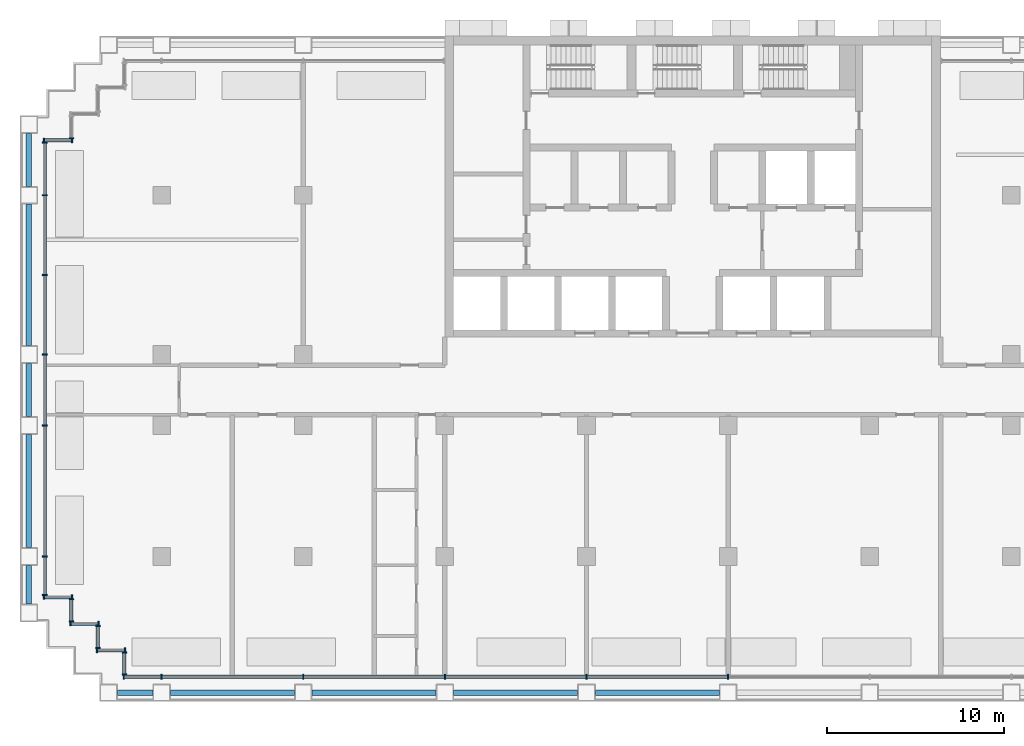
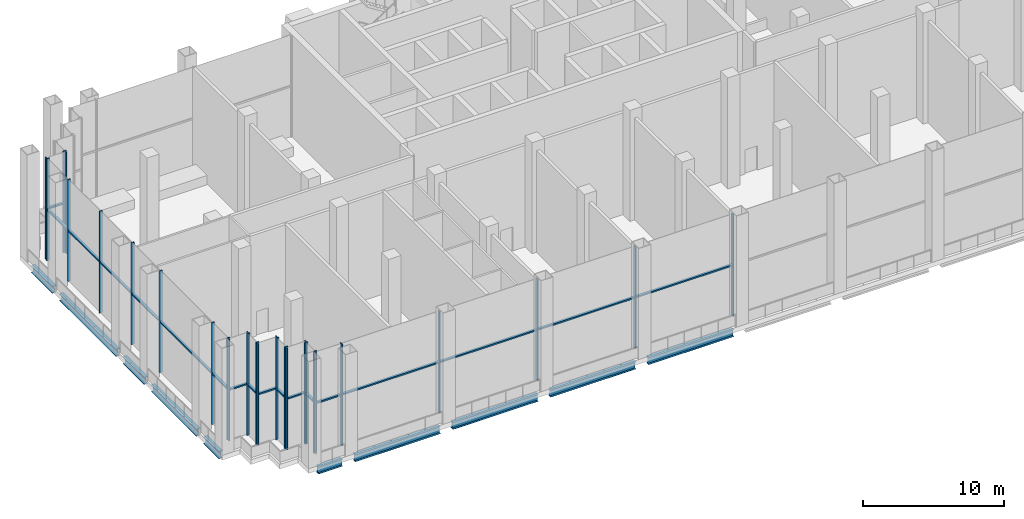
# One storey, part 2 of 16: 46 members, 10 beams, 10 elements without a shape of their own.
"""IFC4 building model written with IfcOpenShell, lengths in metres."""

from ifc_helpers import new_model, si_unit, direction, frame, origin, origin_2d, place, context, subcontext, project, spatial, rectangle, i_section, extrude, material, material_profile, profile_set, type_object, element, aggregate, save


model = new_model("IFC4")

# Units and contexts
model_context = context("Model", 3, precision=1e-05, world=origin(), true_north=direction((0.0, 1.0)))
body_context = subcontext(model_context, "Body", "Model", "MODEL_VIEW")
ifc_project = project(units=[si_unit("LENGTHUNIT", "METRE"), si_unit("AREAUNIT", "SQUARE_METRE"), si_unit("VOLUMEUNIT", "CUBIC_METRE"), si_unit("PLANEANGLEUNIT", "RADIAN"), si_unit("MASSUNIT", "GRAM", prefix="KILO")], contexts=[model_context])

# Site, building, storey
site_placement = place(None, origin())
site = spatial("IfcSite", under=ifc_project, at=site_placement, CompositionType="ELEMENT")
building_placement = place(site_placement, origin())
building = spatial("IfcBuilding", under=site, at=building_placement, Name="Vidyagriha Tower", CompositionType="ELEMENT")
storey_placement = place(building_placement, frame((0.0, 0.0, 64.0)))
storey = spatial("IfcBuildingStorey", under=building, at=storey_placement, Name="L17", CompositionType="ELEMENT", Elevation=64.0)

# Beams
ifc_material_1 = material(Name="Steel ASTM A992 Grade 50", Category="steel")
ifc_material_profile_1 = material_profile(ifc_material_1, i_section(OverallWidth=0.32373046875, OverallDepth=0.612060546875, WebThickness=0.0126953125, FlangeThickness=0.01904296875, at=origin_2d()), Name="W24X104")
ifc_profile_set_1 = profile_set([ifc_material_profile_1], Name="Steel ASTM A992 Grade 50")
beam_type = type_object("IfcBeamType", Name="Edge beam W24X104", PredefinedType="SPANDREL", material=ifc_profile_set_1)
beam_1_placement = place(storey_placement, frame((-32.5, -17.10009765625, -0.7060546875), z_axis=(1.0, 0.0, 0.0), x_axis=(0.0, 1.0, 0.0)))
element("IfcBeam", 1, at=beam_1_placement, inside=storey, type_object=beam_type, Name="st-beam-L17-S01", PredefinedType="SPANDREL", context=body_context, shape_type="SweptSolid", body=[
    extrude(i_section(OverallWidth=0.32373046875, OverallDepth=0.612060546875, WebThickness=0.0126953125, FlangeThickness=0.01904296875, at=origin_2d()), origin(), (0.0, 0.0, 1.0), 2.0),
])
for number, where, z_axis, x_axis, name in (
    (2, (-29.5, -17.10009765625, -0.7060546875), (1.0, 0.0, 0.0), (0.0, 1.0, 0.0), "st-beam-L17-S02"),
    (3, (-21.5, -17.10009765625, -0.7060546875), (1.0, 0.0, 0.0), (0.0, 1.0, 0.0), "st-beam-L17-S03"),
    (4, (-13.5, -17.10009765625, -0.7060546875), (1.0, 0.0, 0.0), (0.0, 1.0, 0.0), "st-beam-L17-S04"),
    (5, (-5.5, -17.10009765625, -0.7060546875), (1.0, 0.0, 0.0), (0.0, 1.0, 0.0), "st-beam-L17-S05"),
):
    element("IfcBeam", number, at=place(storey_placement, frame(where, z_axis=z_axis, x_axis=x_axis)), inside=storey, type_object=beam_type, Name=name, PredefinedType="SPANDREL", context=body_context, shape_type="SweptSolid", body=[
        extrude(i_section(OverallWidth=0.32373046875, OverallDepth=0.612060546875, WebThickness=0.0126953125, FlangeThickness=0.01904296875, at=origin_2d()), origin(), (0.0, 0.0, 1.0), 7.0),
    ])
beam_2_placement = place(storey_placement, frame((-37.5, -12.10009765625, -0.7060546875), z_axis=(0.0, 1.0, 0.0), x_axis=(-1.0, 0.0, 0.0)))
element("IfcBeam", 6, at=beam_2_placement, inside=storey, type_object=beam_type, Name="st-beam-L17-W10", PredefinedType="SPANDREL", context=body_context, shape_type="SweptSolid", body=[
    extrude(i_section(OverallWidth=0.32373046875, OverallDepth=0.612060546875, WebThickness=0.0126953125, FlangeThickness=0.01904296875, at=origin_2d()), origin(), (0.0, 0.0, 1.0), 2.2001953125),
])
beam_3_placement = place(storey_placement, frame((-37.5, -8.89990234375, -0.7060546875), z_axis=(0.0, 1.0, 0.0), x_axis=(-1.0, 0.0, 0.0)))
element("IfcBeam", 7, at=beam_3_placement, inside=storey, type_object=beam_type, Name="st-beam-L17-W11", PredefinedType="SPANDREL", context=body_context, shape_type="SweptSolid", body=[
    extrude(i_section(OverallWidth=0.32373046875, OverallDepth=0.612060546875, WebThickness=0.0126953125, FlangeThickness=0.01904296875, at=origin_2d()), origin(), (0.0, 0.0, 1.0), 6.39990234375),
])
beam_4_placement = place(storey_placement, frame((-37.5, -1.5, -0.7060546875), z_axis=(0.0, 1.0, 0.0), x_axis=(-1.0, 0.0, 0.0)))
element("IfcBeam", 8, at=beam_4_placement, inside=storey, type_object=beam_type, Name="st-beam-L17-W12", PredefinedType="SPANDREL", context=body_context, shape_type="SweptSolid", body=[
    extrude(i_section(OverallWidth=0.32373046875, OverallDepth=0.612060546875, WebThickness=0.0126953125, FlangeThickness=0.01904296875, at=origin_2d()), origin(), (0.0, 0.0, 1.0), 3.0),
])
beam_5_placement = place(storey_placement, frame((-37.5, 2.5, -0.7060546875), z_axis=(0.0, 1.0, 0.0), x_axis=(-1.0, 0.0, 0.0)))
element("IfcBeam", 9, at=beam_5_placement, inside=storey, type_object=beam_type, Name="st-beam-L17-W13", PredefinedType="SPANDREL", context=body_context, shape_type="SweptSolid", body=[
    extrude(i_section(OverallWidth=0.32373046875, OverallDepth=0.612060546875, WebThickness=0.0126953125, FlangeThickness=0.01904296875, at=origin_2d()), origin(), (0.0, 0.0, 1.0), 8.0),
])
beam_6_placement = place(storey_placement, frame((-37.5, 11.5, -0.7060546875), z_axis=(0.0, 1.0, 0.0), x_axis=(-1.0, 0.0, 0.0)))
element("IfcBeam", 10, at=beam_6_placement, inside=storey, type_object=beam_type, Name="st-beam-L17-W14", PredefinedType="SPANDREL", context=body_context, shape_type="SweptSolid", body=[
    extrude(i_section(OverallWidth=0.32373046875, OverallDepth=0.612060546875, WebThickness=0.0126953125, FlangeThickness=0.01904296875, at=origin_2d()), origin(), (0.0, 0.0, 1.0), 3.0),
])

# Curtain wall, member
ifc_material_2 = material(Name="Aluminium and glass curtain wall", Category="aluminium")
curtain_wall_type = type_object("IfcCurtainWallType", Name="Winter garden glazing wall", PredefinedType="USERDEFINED", material=ifc_material_2)
curtain_wall_1_placement = place(storey_placement, origin())
curtain_wall_1 = element("IfcCurtainWall", 11, at=curtain_wall_1_placement, inside=storey, type_object=curtain_wall_type, Name="CW3 winter garden glazing", ObjectType="STICK GLAZING", PredefinedType="USERDEFINED")
ifc_material_3 = material(Name="Aluminium black anodised", Category="aluminium")
ifc_material_profile_2 = material_profile(ifc_material_3, rectangle(XDim=0.260009765625, YDim=0.080078125, at=origin_2d()), Name="Mullion 80x260 black aluminium")
ifc_profile_set_2 = profile_set([ifc_material_profile_2], Name="Aluminium black anodised")
member_type_1 = type_object("IfcMemberType", Name="Mullion 80x260 black aluminium", PredefinedType="MULLION", material=ifc_profile_set_2)
member_1_placement = place(storey_placement, frame((-35.10009765625, 14.219970703125, 0.0)))
member_1 = element("IfcMember", 12, at=member_1_placement, type_object=member_type_1, Name="CW3 mullion 2", PredefinedType="MULLION", context=body_context, shape_type="SweptSolid", body=[
    extrude(rectangle(XDim=0.260009765625, YDim=0.080078125, at=origin_2d()), origin(), (0.0, 0.0, 1.0), 8.800048828125),
])
aggregate(curtain_wall_1, [member_1])

# Curtain wall, members
curtain_wall_2_placement = place(storey_placement, origin())
curtain_wall_2 = element("IfcCurtainWall", 13, at=curtain_wall_2_placement, inside=storey, type_object=curtain_wall_type, Name="CW3 winter garden glazing", ObjectType="STICK GLAZING", PredefinedType="USERDEFINED")
member_2_placement = place(storey_placement, frame((-35.06005859375, 14.10009765625, 0.0), z_axis=(0.0, 0.0, 1.0), x_axis=(0.0, -1.0, 0.0)))
member_2 = element("IfcMember", 14, at=member_2_placement, type_object=member_type_1, Name="CW3 mullion 1", PredefinedType="MULLION", context=body_context, shape_type="SweptSolid", body=[
    extrude(rectangle(XDim=0.260009765625, YDim=0.080078125, at=origin_2d()), origin(), (0.0, 0.0, 1.0), 8.800048828125),
])
member_3_placement = place(storey_placement, frame((-36.639892578125, 14.10009765625, 0.0), z_axis=(0.0, 0.0, 1.0), x_axis=(0.0, -1.0, 0.0)))
member_3 = element("IfcMember", 15, at=member_3_placement, type_object=member_type_1, Name="CW3 mullion 2", PredefinedType="MULLION", context=body_context, shape_type="SweptSolid", body=[
    extrude(rectangle(XDim=0.260009765625, YDim=0.080078125, at=origin_2d()), origin(), (0.0, 0.0, 1.0), 8.800048828125),
])

curtain_wall_3_placement = place(storey_placement, origin())
curtain_wall_3 = element("IfcCurtainWall", 16, at=curtain_wall_3_placement, inside=storey, type_object=curtain_wall_type, Name="CW3 winter garden glazing", ObjectType="STICK GLAZING", PredefinedType="USERDEFINED")
member_4_placement = place(storey_placement, frame((-36.60009765625, 13.97998046875, 0.0)))
member_4 = element("IfcMember", 17, at=member_4_placement, type_object=member_type_1, Name="CW3 mullion 1", PredefinedType="MULLION", context=body_context, shape_type="SweptSolid", body=[
    extrude(rectangle(XDim=0.260009765625, YDim=0.080078125, at=origin_2d()), origin(), (0.0, 0.0, 1.0), 8.800048828125),
])
member_5_placement = place(storey_placement, frame((-36.60009765625, 11.0, 0.0)))
member_5 = element("IfcMember", 18, at=member_5_placement, type_object=member_type_1, Name="CW3 mullion 2", PredefinedType="MULLION", context=body_context, shape_type="SweptSolid", body=[
    extrude(rectangle(XDim=0.260009765625, YDim=0.080078125, at=origin_2d()), origin(), (0.0, 0.0, 1.0), 8.800048828125),
])
member_6_placement = place(storey_placement, frame((-36.60009765625, 6.5, 0.0)))
member_6 = element("IfcMember", 19, at=member_6_placement, type_object=member_type_1, Name="CW3 mullion 3", PredefinedType="MULLION", context=body_context, shape_type="SweptSolid", body=[
    extrude(rectangle(XDim=0.260009765625, YDim=0.080078125, at=origin_2d()), origin(), (0.0, 0.0, 1.0), 8.800048828125),
])
member_7_placement = place(storey_placement, frame((-36.60009765625, 2.0, 0.0)))
member_7 = element("IfcMember", 20, at=member_7_placement, type_object=member_type_1, Name="CW3 mullion 4", PredefinedType="MULLION", context=body_context, shape_type="SweptSolid", body=[
    extrude(rectangle(XDim=0.260009765625, YDim=0.080078125, at=origin_2d()), origin(), (0.0, 0.0, 1.0), 8.800048828125),
])
member_8_placement = place(storey_placement, frame((-36.60009765625, -2.0, 0.0)))
member_8 = element("IfcMember", 21, at=member_8_placement, type_object=member_type_1, Name="CW3 mullion 5", PredefinedType="MULLION", context=body_context, shape_type="SweptSolid", body=[
    extrude(rectangle(XDim=0.260009765625, YDim=0.080078125, at=origin_2d()), origin(), (0.0, 0.0, 1.0), 8.800048828125),
])
member_9_placement = place(storey_placement, frame((-36.60009765625, -9.39990234375, 0.0)))
member_9 = element("IfcMember", 22, at=member_9_placement, type_object=member_type_1, Name="CW3 mullion 6", PredefinedType="MULLION", context=body_context, shape_type="SweptSolid", body=[
    extrude(rectangle(XDim=0.260009765625, YDim=0.080078125, at=origin_2d()), origin(), (0.0, 0.0, 1.0), 8.800048828125),
])
member_10_placement = place(storey_placement, frame((-36.60009765625, -11.580078125, 0.0)))
member_10 = element("IfcMember", 23, at=member_10_placement, type_object=member_type_1, Name="CW3 mullion 7", PredefinedType="MULLION", context=body_context, shape_type="SweptSolid", body=[
    extrude(rectangle(XDim=0.260009765625, YDim=0.080078125, at=origin_2d()), origin(), (0.0, 0.0, 1.0), 8.800048828125),
])

curtain_wall_4_placement = place(storey_placement, origin())
curtain_wall_4 = element("IfcCurtainWall", 24, at=curtain_wall_4_placement, inside=storey, type_object=curtain_wall_type, Name="CW3 winter garden glazing", ObjectType="STICK GLAZING", PredefinedType="USERDEFINED")
member_11_placement = place(storey_placement, frame((-36.639892578125, -11.699951171875, 0.0), z_axis=(0.0, 0.0, 1.0), x_axis=(0.0, 1.0, 0.0)))
member_11 = element("IfcMember", 25, at=member_11_placement, type_object=member_type_1, Name="CW3 mullion 1", PredefinedType="MULLION", context=body_context, shape_type="SweptSolid", body=[
    extrude(rectangle(XDim=0.260009765625, YDim=0.080078125, at=origin_2d()), origin(), (0.0, 0.0, 1.0), 8.800048828125),
])
member_12_placement = place(storey_placement, frame((-35.06005859375, -11.699951171875, 0.0), z_axis=(0.0, 0.0, 1.0), x_axis=(0.0, 1.0, 0.0)))
member_12 = element("IfcMember", 26, at=member_12_placement, type_object=member_type_1, Name="CW3 mullion 2", PredefinedType="MULLION", context=body_context, shape_type="SweptSolid", body=[
    extrude(rectangle(XDim=0.260009765625, YDim=0.080078125, at=origin_2d()), origin(), (0.0, 0.0, 1.0), 8.800048828125),
])

curtain_wall_5_placement = place(storey_placement, origin())
curtain_wall_5 = element("IfcCurtainWall", 27, at=curtain_wall_5_placement, inside=storey, type_object=curtain_wall_type, Name="CW3 winter garden glazing", ObjectType="STICK GLAZING", PredefinedType="USERDEFINED")
member_13_placement = place(storey_placement, frame((-35.10009765625, -11.820068359375, 0.0)))
member_13 = element("IfcMember", 28, at=member_13_placement, type_object=member_type_1, Name="CW3 mullion 1", PredefinedType="MULLION", context=body_context, shape_type="SweptSolid", body=[
    extrude(rectangle(XDim=0.260009765625, YDim=0.080078125, at=origin_2d()), origin(), (0.0, 0.0, 1.0), 8.800048828125),
])
member_14_placement = place(storey_placement, frame((-35.10009765625, -13.080078125, 0.0)))
member_14 = element("IfcMember", 29, at=member_14_placement, type_object=member_type_1, Name="CW3 mullion 2", PredefinedType="MULLION", context=body_context, shape_type="SweptSolid", body=[
    extrude(rectangle(XDim=0.260009765625, YDim=0.080078125, at=origin_2d()), origin(), (0.0, 0.0, 1.0), 8.800048828125),
])

curtain_wall_6_placement = place(storey_placement, origin())
curtain_wall_6 = element("IfcCurtainWall", 30, at=curtain_wall_6_placement, inside=storey, type_object=curtain_wall_type, Name="CW3 winter garden glazing", ObjectType="STICK GLAZING", PredefinedType="USERDEFINED")
member_15_placement = place(storey_placement, frame((-35.139892578125, -13.199951171875, 0.0), z_axis=(0.0, 0.0, 1.0), x_axis=(0.0, 1.0, 0.0)))
member_15 = element("IfcMember", 31, at=member_15_placement, type_object=member_type_1, Name="CW3 mullion 1", PredefinedType="MULLION", context=body_context, shape_type="SweptSolid", body=[
    extrude(rectangle(XDim=0.260009765625, YDim=0.080078125, at=origin_2d()), origin(), (0.0, 0.0, 1.0), 8.800048828125),
])
member_16_placement = place(storey_placement, frame((-33.56005859375, -13.199951171875, 0.0), z_axis=(0.0, 0.0, 1.0), x_axis=(0.0, 1.0, 0.0)))
member_16 = element("IfcMember", 32, at=member_16_placement, type_object=member_type_1, Name="CW3 mullion 2", PredefinedType="MULLION", context=body_context, shape_type="SweptSolid", body=[
    extrude(rectangle(XDim=0.260009765625, YDim=0.080078125, at=origin_2d()), origin(), (0.0, 0.0, 1.0), 8.800048828125),
])

curtain_wall_7_placement = place(storey_placement, origin())
curtain_wall_7 = element("IfcCurtainWall", 33, at=curtain_wall_7_placement, inside=storey, type_object=curtain_wall_type, Name="CW3 winter garden glazing", ObjectType="STICK GLAZING", PredefinedType="USERDEFINED")
member_17_placement = place(storey_placement, frame((-33.60009765625, -13.320068359375, 0.0)))
member_17 = element("IfcMember", 34, at=member_17_placement, type_object=member_type_1, Name="CW3 mullion 1", PredefinedType="MULLION", context=body_context, shape_type="SweptSolid", body=[
    extrude(rectangle(XDim=0.260009765625, YDim=0.080078125, at=origin_2d()), origin(), (0.0, 0.0, 1.0), 8.800048828125),
])
member_18_placement = place(storey_placement, frame((-33.60009765625, -14.580078125, 0.0)))
member_18 = element("IfcMember", 35, at=member_18_placement, type_object=member_type_1, Name="CW3 mullion 2", PredefinedType="MULLION", context=body_context, shape_type="SweptSolid", body=[
    extrude(rectangle(XDim=0.260009765625, YDim=0.080078125, at=origin_2d()), origin(), (0.0, 0.0, 1.0), 8.800048828125),
])

curtain_wall_8_placement = place(storey_placement, origin())
curtain_wall_8 = element("IfcCurtainWall", 36, at=curtain_wall_8_placement, inside=storey, type_object=curtain_wall_type, Name="CW3 winter garden glazing", ObjectType="STICK GLAZING", PredefinedType="USERDEFINED")
member_19_placement = place(storey_placement, frame((-33.639892578125, -14.699951171875, 0.0), z_axis=(0.0, 0.0, 1.0), x_axis=(0.0, 1.0, 0.0)))
member_19 = element("IfcMember", 37, at=member_19_placement, type_object=member_type_1, Name="CW3 mullion 1", PredefinedType="MULLION", context=body_context, shape_type="SweptSolid", body=[
    extrude(rectangle(XDim=0.260009765625, YDim=0.080078125, at=origin_2d()), origin(), (0.0, 0.0, 1.0), 8.800048828125),
])
member_20_placement = place(storey_placement, frame((-32.06005859375, -14.699951171875, 0.0), z_axis=(0.0, 0.0, 1.0), x_axis=(0.0, 1.0, 0.0)))
member_20 = element("IfcMember", 38, at=member_20_placement, type_object=member_type_1, Name="CW3 mullion 2", PredefinedType="MULLION", context=body_context, shape_type="SweptSolid", body=[
    extrude(rectangle(XDim=0.260009765625, YDim=0.080078125, at=origin_2d()), origin(), (0.0, 0.0, 1.0), 8.800048828125),
])

curtain_wall_9_placement = place(storey_placement, origin())
curtain_wall_9 = element("IfcCurtainWall", 39, at=curtain_wall_9_placement, inside=storey, type_object=curtain_wall_type, Name="CW3 winter garden glazing", ObjectType="STICK GLAZING", PredefinedType="USERDEFINED")
member_21_placement = place(storey_placement, frame((-32.10009765625, -14.820068359375, 0.0)))
member_21 = element("IfcMember", 40, at=member_21_placement, type_object=member_type_1, Name="CW3 mullion 1", PredefinedType="MULLION", context=body_context, shape_type="SweptSolid", body=[
    extrude(rectangle(XDim=0.260009765625, YDim=0.080078125, at=origin_2d()), origin(), (0.0, 0.0, 1.0), 8.800048828125),
])
member_22_placement = place(storey_placement, frame((-32.10009765625, -16.080078125, 0.0)))
member_22 = element("IfcMember", 41, at=member_22_placement, type_object=member_type_1, Name="CW3 mullion 2", PredefinedType="MULLION", context=body_context, shape_type="SweptSolid", body=[
    extrude(rectangle(XDim=0.260009765625, YDim=0.080078125, at=origin_2d()), origin(), (0.0, 0.0, 1.0), 8.800048828125),
])

curtain_wall_10_placement = place(storey_placement, origin())
curtain_wall_10 = element("IfcCurtainWall", 42, at=curtain_wall_10_placement, inside=storey, type_object=curtain_wall_type, Name="CW3 winter garden glazing", ObjectType="STICK GLAZING", PredefinedType="USERDEFINED")
member_23_placement = place(storey_placement, frame((-32.139892578125, -16.199951171875, 0.0), z_axis=(0.0, 0.0, 1.0), x_axis=(0.0, 1.0, 0.0)))
member_23 = element("IfcMember", 43, at=member_23_placement, type_object=member_type_1, Name="CW3 mullion 1", PredefinedType="MULLION", context=body_context, shape_type="SweptSolid", body=[
    extrude(rectangle(XDim=0.260009765625, YDim=0.080078125, at=origin_2d()), origin(), (0.0, 0.0, 1.0), 8.800048828125),
])
member_24_placement = place(storey_placement, frame((-30.0, -16.199951171875, 0.0), z_axis=(0.0, 0.0, 1.0), x_axis=(0.0, 1.0, 0.0)))
member_24 = element("IfcMember", 44, at=member_24_placement, type_object=member_type_1, Name="CW3 mullion 2", PredefinedType="MULLION", context=body_context, shape_type="SweptSolid", body=[
    extrude(rectangle(XDim=0.260009765625, YDim=0.080078125, at=origin_2d()), origin(), (0.0, 0.0, 1.0), 8.800048828125),
])
member_25_placement = place(storey_placement, frame((-22.0, -16.199951171875, 0.0), z_axis=(0.0, 0.0, 1.0), x_axis=(0.0, 1.0, 0.0)))
member_25 = element("IfcMember", 45, at=member_25_placement, type_object=member_type_1, Name="CW3 mullion 3", PredefinedType="MULLION", context=body_context, shape_type="SweptSolid", body=[
    extrude(rectangle(XDim=0.260009765625, YDim=0.080078125, at=origin_2d()), origin(), (0.0, 0.0, 1.0), 8.800048828125),
])
member_26_placement = place(storey_placement, frame((-14.0, -16.199951171875, 0.0), z_axis=(0.0, 0.0, 1.0), x_axis=(0.0, 1.0, 0.0)))
member_26 = element("IfcMember", 46, at=member_26_placement, type_object=member_type_1, Name="CW3 mullion 4", PredefinedType="MULLION", context=body_context, shape_type="SweptSolid", body=[
    extrude(rectangle(XDim=0.260009765625, YDim=0.080078125, at=origin_2d()), origin(), (0.0, 0.0, 1.0), 8.800048828125),
])
member_27_placement = place(storey_placement, frame((-6.0, -16.199951171875, 0.0), z_axis=(0.0, 0.0, 1.0), x_axis=(0.0, 1.0, 0.0)))
member_27 = element("IfcMember", 47, at=member_27_placement, type_object=member_type_1, Name="CW3 mullion 5", PredefinedType="MULLION", context=body_context, shape_type="SweptSolid", body=[
    extrude(rectangle(XDim=0.260009765625, YDim=0.080078125, at=origin_2d()), origin(), (0.0, 0.0, 1.0), 8.800048828125),
])
member_28_placement = place(storey_placement, frame((2.0, -16.199951171875, 0.0), z_axis=(0.0, 0.0, 1.0), x_axis=(0.0, 1.0, 0.0)))
member_28 = element("IfcMember", 48, at=member_28_placement, type_object=member_type_1, Name="CW3 mullion 6", PredefinedType="MULLION", context=body_context, shape_type="SweptSolid", body=[
    extrude(rectangle(XDim=0.260009765625, YDim=0.080078125, at=origin_2d()), origin(), (0.0, 0.0, 1.0), 8.800048828125),
])

# Member
ifc_material_4 = material(Name="Aluminium black anodised", Category="aluminium")
ifc_material_profile_3 = material_profile(ifc_material_4, rectangle(XDim=0.199951171875, YDim=0.1201171875, at=origin_2d()), Name="Transom 120x200 black aluminium")
ifc_profile_set_3 = profile_set([ifc_material_profile_3], Name="Aluminium black anodised")
member_type_2 = type_object("IfcMemberType", Name="Transom 120x200 black aluminium", PredefinedType="USERDEFINED", material=ifc_profile_set_3)
member_29_placement = place(storey_placement, frame((-35.10009765625, 14.10009765625, 4.39990234375), z_axis=(-1.0, 0.0, 0.0), x_axis=(0.0, -1.0, 0.0)))
member_29 = element("IfcMember", 49, at=member_29_placement, type_object=member_type_2, Name="CW3 transom 1.1", ObjectType="TRANSOM", PredefinedType="USERDEFINED", context=body_context, shape_type="SweptSolid", body=[
    extrude(rectangle(XDim=0.199951171875, YDim=0.1201171875, at=origin_2d()), origin(), (0.0, 0.0, 1.0), 1.5),
])

aggregate(curtain_wall_2, [member_2, member_3, member_29])

member_30_placement = place(storey_placement, frame((-36.60009765625, 13.93994140625, 4.39990234375), z_axis=(0.0, -1.0, 0.0), x_axis=(1.0, 0.0, 0.0)))
member_30 = element("IfcMember", 50, at=member_30_placement, type_object=member_type_2, Name="CW3 transom 1.1", ObjectType="TRANSOM", PredefinedType="USERDEFINED", context=body_context, shape_type="SweptSolid", body=[
    extrude(rectangle(XDim=0.199951171875, YDim=0.1201171875, at=origin_2d()), origin(), (0.0, 0.0, 1.0), 2.89990234375),
])

member_31_placement = place(storey_placement, frame((-36.60009765625, 10.9599609375, 4.39990234375), z_axis=(0.0, -1.0, 0.0), x_axis=(1.0, 0.0, 0.0)))
member_31 = element("IfcMember", 51, at=member_31_placement, type_object=member_type_2, Name="CW3 transom 2.1", ObjectType="TRANSOM", PredefinedType="USERDEFINED", context=body_context, shape_type="SweptSolid", body=[
    extrude(rectangle(XDim=0.199951171875, YDim=0.1201171875, at=origin_2d()), origin(), (0.0, 0.0, 1.0), 4.419921875),
])

member_32_placement = place(storey_placement, frame((-36.60009765625, 6.4599609375, 4.39990234375), z_axis=(0.0, -1.0, 0.0), x_axis=(1.0, 0.0, 0.0)))
member_32 = element("IfcMember", 52, at=member_32_placement, type_object=member_type_2, Name="CW3 transom 3.1", ObjectType="TRANSOM", PredefinedType="USERDEFINED", context=body_context, shape_type="SweptSolid", body=[
    extrude(rectangle(XDim=0.199951171875, YDim=0.1201171875, at=origin_2d()), origin(), (0.0, 0.0, 1.0), 4.419921875),
])

member_33_placement = place(storey_placement, frame((-36.60009765625, 1.9599609375, 4.39990234375), z_axis=(0.0, -1.0, 0.0), x_axis=(1.0, 0.0, 0.0)))
member_33 = element("IfcMember", 53, at=member_33_placement, type_object=member_type_2, Name="CW3 transom 4.1", ObjectType="TRANSOM", PredefinedType="USERDEFINED", context=body_context, shape_type="SweptSolid", body=[
    extrude(rectangle(XDim=0.199951171875, YDim=0.1201171875, at=origin_2d()), origin(), (0.0, 0.0, 1.0), 3.919921875),
])

member_34_placement = place(storey_placement, frame((-36.60009765625, -2.0400390625, 4.39990234375), z_axis=(0.0, -1.0, 0.0), x_axis=(1.0, 0.0, 0.0)))
member_34 = element("IfcMember", 54, at=member_34_placement, type_object=member_type_2, Name="CW3 transom 5.1", ObjectType="TRANSOM", PredefinedType="USERDEFINED", context=body_context, shape_type="SweptSolid", body=[
    extrude(rectangle(XDim=0.199951171875, YDim=0.1201171875, at=origin_2d()), origin(), (0.0, 0.0, 1.0), 7.320068359375),
])

member_35_placement = place(storey_placement, frame((-36.60009765625, -9.43994140625, 4.39990234375), z_axis=(0.0, -1.0, 0.0), x_axis=(1.0, 0.0, 0.0)))
member_35 = element("IfcMember", 55, at=member_35_placement, type_object=member_type_2, Name="CW3 transom 6.1", ObjectType="TRANSOM", PredefinedType="USERDEFINED", context=body_context, shape_type="SweptSolid", body=[
    extrude(rectangle(XDim=0.199951171875, YDim=0.1201171875, at=origin_2d()), origin(), (0.0, 0.0, 1.0), 2.10009765625),
])

aggregate(curtain_wall_3, [member_4, member_5, member_6, member_7, member_8, member_9, member_10, member_30, member_31, member_32, member_33, member_34, member_35])

member_36_placement = place(storey_placement, frame((-36.60009765625, -11.699951171875, 4.39990234375), z_axis=(1.0, 0.0, 0.0), x_axis=(0.0, 1.0, 0.0)))
member_36 = element("IfcMember", 56, at=member_36_placement, type_object=member_type_2, Name="CW3 transom 1.1", ObjectType="TRANSOM", PredefinedType="USERDEFINED", context=body_context, shape_type="SweptSolid", body=[
    extrude(rectangle(XDim=0.199951171875, YDim=0.1201171875, at=origin_2d()), origin(), (0.0, 0.0, 1.0), 1.5),
])

aggregate(curtain_wall_4, [member_11, member_12, member_36])

member_37_placement = place(storey_placement, frame((-35.10009765625, -11.860107421875, 4.39990234375), z_axis=(0.0, -1.0, 0.0), x_axis=(1.0, 0.0, 0.0)))
member_37 = element("IfcMember", 57, at=member_37_placement, type_object=member_type_2, Name="CW3 transom 1.1", ObjectType="TRANSOM", PredefinedType="USERDEFINED", context=body_context, shape_type="SweptSolid", body=[
    extrude(rectangle(XDim=0.199951171875, YDim=0.1201171875, at=origin_2d()), origin(), (0.0, 0.0, 1.0), 1.179931640625),
])

aggregate(curtain_wall_5, [member_13, member_14, member_37])

member_38_placement = place(storey_placement, frame((-35.10009765625, -13.199951171875, 4.39990234375), z_axis=(1.0, 0.0, 0.0), x_axis=(0.0, 1.0, 0.0)))
member_38 = element("IfcMember", 58, at=member_38_placement, type_object=member_type_2, Name="CW3 transom 1.1", ObjectType="TRANSOM", PredefinedType="USERDEFINED", context=body_context, shape_type="SweptSolid", body=[
    extrude(rectangle(XDim=0.199951171875, YDim=0.1201171875, at=origin_2d()), origin(), (0.0, 0.0, 1.0), 1.5),
])

aggregate(curtain_wall_6, [member_15, member_16, member_38])

member_39_placement = place(storey_placement, frame((-33.60009765625, -13.360107421875, 4.39990234375), z_axis=(0.0, -1.0, 0.0), x_axis=(1.0, 0.0, 0.0)))
member_39 = element("IfcMember", 59, at=member_39_placement, type_object=member_type_2, Name="CW3 transom 1.1", ObjectType="TRANSOM", PredefinedType="USERDEFINED", context=body_context, shape_type="SweptSolid", body=[
    extrude(rectangle(XDim=0.199951171875, YDim=0.1201171875, at=origin_2d()), origin(), (0.0, 0.0, 1.0), 1.179931640625),
])

aggregate(curtain_wall_7, [member_17, member_18, member_39])

member_40_placement = place(storey_placement, frame((-33.60009765625, -14.699951171875, 4.39990234375), z_axis=(1.0, 0.0, 0.0), x_axis=(0.0, 1.0, 0.0)))
member_40 = element("IfcMember", 60, at=member_40_placement, type_object=member_type_2, Name="CW3 transom 1.1", ObjectType="TRANSOM", PredefinedType="USERDEFINED", context=body_context, shape_type="SweptSolid", body=[
    extrude(rectangle(XDim=0.199951171875, YDim=0.1201171875, at=origin_2d()), origin(), (0.0, 0.0, 1.0), 1.5),
])

aggregate(curtain_wall_8, [member_19, member_20, member_40])

member_41_placement = place(storey_placement, frame((-32.10009765625, -14.860107421875, 4.39990234375), z_axis=(0.0, -1.0, 0.0), x_axis=(1.0, 0.0, 0.0)))
member_41 = element("IfcMember", 61, at=member_41_placement, type_object=member_type_2, Name="CW3 transom 1.1", ObjectType="TRANSOM", PredefinedType="USERDEFINED", context=body_context, shape_type="SweptSolid", body=[
    extrude(rectangle(XDim=0.199951171875, YDim=0.1201171875, at=origin_2d()), origin(), (0.0, 0.0, 1.0), 1.179931640625),
])

aggregate(curtain_wall_9, [member_21, member_22, member_41])

member_42_placement = place(storey_placement, frame((-32.10009765625, -16.199951171875, 4.39990234375), z_axis=(1.0, 0.0, 0.0), x_axis=(0.0, 1.0, 0.0)))
member_42 = element("IfcMember", 62, at=member_42_placement, type_object=member_type_2, Name="CW3 transom 1.1", ObjectType="TRANSOM", PredefinedType="USERDEFINED", context=body_context, shape_type="SweptSolid", body=[
    extrude(rectangle(XDim=0.199951171875, YDim=0.1201171875, at=origin_2d()), origin(), (0.0, 0.0, 1.0), 2.06005859375),
])

member_43_placement = place(storey_placement, frame((-29.9599609375, -16.199951171875, 4.39990234375), z_axis=(1.0, 0.0, 0.0), x_axis=(0.0, 1.0, 0.0)))
member_43 = element("IfcMember", 63, at=member_43_placement, type_object=member_type_2, Name="CW3 transom 2.1", ObjectType="TRANSOM", PredefinedType="USERDEFINED", context=body_context, shape_type="SweptSolid", body=[
    extrude(rectangle(XDim=0.199951171875, YDim=0.1201171875, at=origin_2d()), origin(), (0.0, 0.0, 1.0), 7.919921875),
])

member_44_placement = place(storey_placement, frame((-21.9599609375, -16.199951171875, 4.39990234375), z_axis=(1.0, 0.0, 0.0), x_axis=(0.0, 1.0, 0.0)))
member_44 = element("IfcMember", 64, at=member_44_placement, type_object=member_type_2, Name="CW3 transom 3.1", ObjectType="TRANSOM", PredefinedType="USERDEFINED", context=body_context, shape_type="SweptSolid", body=[
    extrude(rectangle(XDim=0.199951171875, YDim=0.1201171875, at=origin_2d()), origin(), (0.0, 0.0, 1.0), 7.919921875),
])

member_45_placement = place(storey_placement, frame((-13.9599609375, -16.199951171875, 4.39990234375), z_axis=(1.0, 0.0, 0.0), x_axis=(0.0, 1.0, 0.0)))
member_45 = element("IfcMember", 65, at=member_45_placement, type_object=member_type_2, Name="CW3 transom 4.1", ObjectType="TRANSOM", PredefinedType="USERDEFINED", context=body_context, shape_type="SweptSolid", body=[
    extrude(rectangle(XDim=0.199951171875, YDim=0.1201171875, at=origin_2d()), origin(), (0.0, 0.0, 1.0), 7.919921875),
])

member_46_placement = place(storey_placement, frame((-5.9599609375, -16.199951171875, 4.39990234375), z_axis=(1.0, 0.0, 0.0), x_axis=(0.0, 1.0, 0.0)))
member_46 = element("IfcMember", 66, at=member_46_placement, type_object=member_type_2, Name="CW3 transom 5.1", ObjectType="TRANSOM", PredefinedType="USERDEFINED", context=body_context, shape_type="SweptSolid", body=[
    extrude(rectangle(XDim=0.199951171875, YDim=0.1201171875, at=origin_2d()), origin(), (0.0, 0.0, 1.0), 7.919921875),
])

aggregate(curtain_wall_10, [member_23, member_24, member_25, member_26, member_27, member_28, member_42, member_43, member_44, member_45, member_46])

save(model, "model.ifc")
